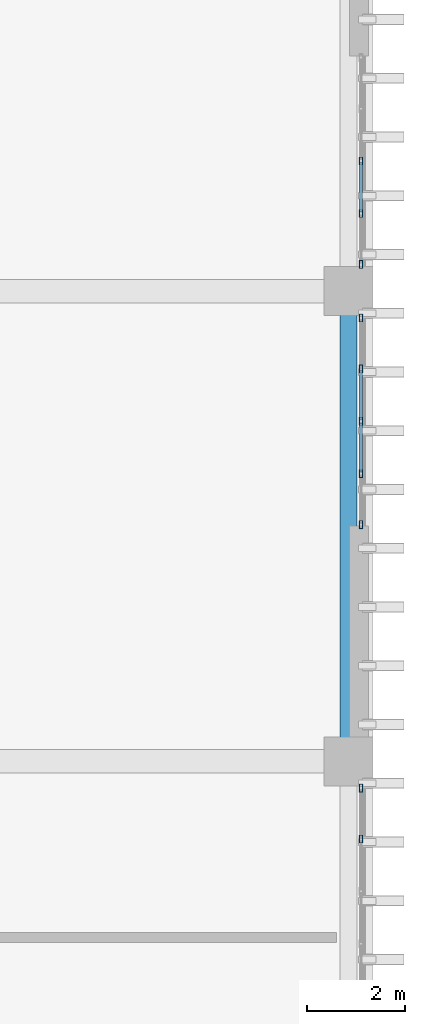
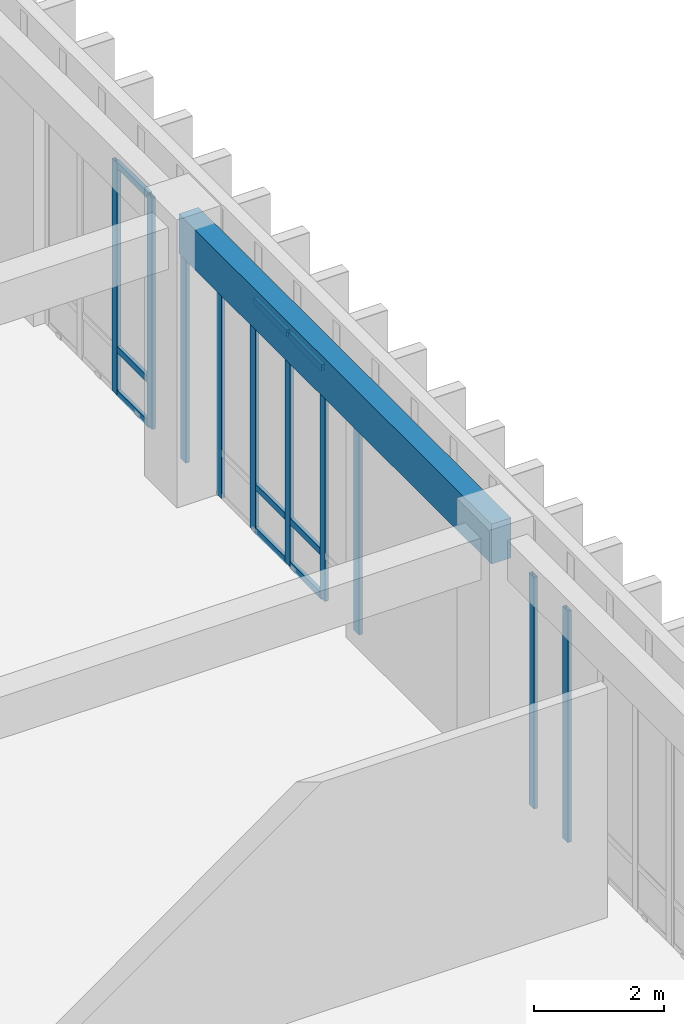
# One storey, part 83 of 134: 19 members, 1 beam, 3 elements without a shape of their own.
"""IFC4 building model written with IfcOpenShell, lengths in metres."""

from ifc_helpers import new_model, si_unit, direction, frame, origin, origin_2d, place, context, subcontext, project, spatial, rectangle, hollow_rectangle, extrude, material, layer, layer_set, material_profile, profile_set, type_object, element, aggregate, save


model = new_model("IFC4")

# Units and contexts
model_context = context("Model", 3, precision=1e-05, world=origin(), true_north=direction((0.0, 1.0)))
body_context = subcontext(model_context, "Body", "Model", "MODEL_VIEW")
ifc_project = project(units=[si_unit("LENGTHUNIT", "METRE"), si_unit("AREAUNIT", "SQUARE_METRE"), si_unit("VOLUMEUNIT", "CUBIC_METRE"), si_unit("PLANEANGLEUNIT", "RADIAN"), si_unit("MASSUNIT", "GRAM", prefix="KILO")], contexts=[model_context])

# Site, building, storey
site_placement = place(None, origin())
site = spatial("IfcSite", under=ifc_project, at=site_placement, CompositionType="ELEMENT")
building_placement = place(site_placement, origin())
building = spatial("IfcBuilding", under=site, at=building_placement, Name="Nakhvara Creek Congress Hotel", CompositionType="ELEMENT")
storey_placement = place(building_placement, frame((0.0, 0.0, 6.0)))
storey = spatial("IfcBuildingStorey", under=building, at=storey_placement, Name="L01", CompositionType="ELEMENT", Elevation=6.0)

# Beam
ifc_material_1 = material(Name="Concrete C40/50", Category="concrete")
ifc_material_profile_1 = material_profile(ifc_material_1, rectangle(XDim=0.35009765625, YDim=0.75, at=origin_2d()), Name="RC-SPANDREL 350x750", Category="LoadBearing")
ifc_profile_set_1 = profile_set([ifc_material_profile_1], Name="Concrete C40/50")
beam_type = type_object("IfcBeamType", Name="BM-SPN-350X750", PredefinedType="SPANDREL", material=ifc_profile_set_1)
beam_placement = place(storey_placement, frame((179.35009765625, 96.0, 4.72509765625), z_axis=(0.0, 1.0, 0.0), x_axis=(-1.0, 0.0, 0.0)))
element("IfcBeam", 1, at=beam_placement, inside=storey, type_object=beam_type, Name="Beam SP1-L01-1359", PredefinedType="SPANDREL", context=body_context, shape_type="SweptSolid", body=[
    extrude(rectangle(XDim=0.35009765625, YDim=0.75, at=origin_2d()), origin(), (0.0, 0.0, 1.0), 9.60009765625),
])

# Curtain wall, members
ifc_material_2 = material(Name="Bronze-anodised aluminium AW-6063-T6 and double-silver low-E glass", Category="aluminium")
ifc_layer = layer(ifc_material_2, 0.199951171875)
ifc_layer_set = layer_set([ifc_layer], Name="Bronze-anodised aluminium AW-6063-T6 and double-silver low-E glass")
curtain_wall_type = type_object("IfcCurtainWallType", Name="CW-HTL-UNIT", PredefinedType="USERDEFINED", material=ifc_layer_set)
curtain_wall_1_placement = place(storey_placement, origin())
curtain_wall_1 = element("IfcCurtainWall", 2, at=curtain_wall_1_placement, inside=storey, type_object=curtain_wall_type, Name="Curtain Wall CW119", ObjectType="UNITISED", PredefinedType="USERDEFINED")
ifc_material_3 = material(Name="Bronze-anodised aluminium AW-6063-T6", Category="aluminium")
ifc_material_profile_2 = material_profile(ifc_material_3, hollow_rectangle(XDim=0.06494140625, YDim=0.159912109375, WallThickness=0.00390625, at=origin_2d()), Name="ALU-MULL 65x160x4", Category="LoadBearing")
ifc_profile_set_2 = profile_set([ifc_material_profile_2], Name="Bronze-anodised aluminium AW-6063-T6")
member_type_1 = type_object("IfcMemberType", Name="CW-MULL-160", PredefinedType="MULLION", material=ifc_profile_set_2)
member_1_placement = place(storey_placement, frame((179.60009765625, 95.452392578125, 0.0), z_axis=(0.0, 0.0, 1.0), x_axis=(1.0, 0.0, 0.0)))
member_1 = element("IfcMember", 3, at=member_1_placement, type_object=member_type_1, Name="CW119 mullion 1", PredefinedType="MULLION", context=body_context, shape_type="SweptSolid", body=[
    extrude(hollow_rectangle(XDim=0.06494140625, YDim=0.159912109375, WallThickness=0.00390625, at=origin_2d()), origin(), (0.0, 0.0, 1.0), 4.342041015625),
])
member_2_placement = place(storey_placement, frame((179.60009765625, 94.413818359375, 0.0), z_axis=(0.0, 0.0, 1.0), x_axis=(1.0, 0.0, 0.0)))
member_2 = element("IfcMember", 4, at=member_2_placement, type_object=member_type_1, Name="CW119 mullion 2", PredefinedType="MULLION", context=body_context, shape_type="SweptSolid", body=[
    extrude(hollow_rectangle(XDim=0.06494140625, YDim=0.159912109375, WallThickness=0.00390625, at=origin_2d()), origin(), (0.0, 0.0, 1.0), 4.342041015625),
])
aggregate(curtain_wall_1, [member_1, member_2])

curtain_wall_2_placement = place(storey_placement, origin())
curtain_wall_2 = element("IfcCurtainWall", 5, at=curtain_wall_2_placement, inside=storey, type_object=curtain_wall_type, Name="Curtain Wall CW121", ObjectType="UNITISED", PredefinedType="USERDEFINED")
member_3_placement = place(storey_placement, frame((179.60009765625, 105.052490234375, 0.0), z_axis=(0.0, 0.0, 1.0), x_axis=(1.0, 0.0, 0.0)))
member_3 = element("IfcMember", 6, at=member_3_placement, type_object=member_type_1, Name="CW121 mullion 1", PredefinedType="MULLION", context=body_context, shape_type="SweptSolid", body=[
    extrude(hollow_rectangle(XDim=0.06494140625, YDim=0.159912109375, WallThickness=0.00390625, at=origin_2d()), origin(), (0.0, 0.0, 1.0), 4.342041015625),
])
member_4_placement = place(storey_placement, frame((179.60009765625, 104.013671875, 0.0), z_axis=(0.0, 0.0, 1.0), x_axis=(1.0, 0.0, 0.0)))
member_4 = element("IfcMember", 7, at=member_4_placement, type_object=member_type_1, Name="CW121 mullion 2", PredefinedType="MULLION", context=body_context, shape_type="SweptSolid", body=[
    extrude(hollow_rectangle(XDim=0.06494140625, YDim=0.159912109375, WallThickness=0.00390625, at=origin_2d()), origin(), (0.0, 0.0, 1.0), 4.342041015625),
])
member_5_placement = place(storey_placement, frame((179.60009765625, 102.9423828125, 0.0), z_axis=(0.0, 0.0, 1.0), x_axis=(1.0, 0.0, 0.0)))
member_5 = element("IfcMember", 8, at=member_5_placement, type_object=member_type_1, Name="CW121 mullion 3", PredefinedType="MULLION", context=body_context, shape_type="SweptSolid", body=[
    extrude(hollow_rectangle(XDim=0.06494140625, YDim=0.159912109375, WallThickness=0.00390625, at=origin_2d()), origin(), (0.0, 0.0, 1.0), 4.342041015625),
])
member_6_placement = place(storey_placement, frame((179.60009765625, 101.871337890625, 0.0), z_axis=(0.0, 0.0, 1.0), x_axis=(1.0, 0.0, 0.0)))
member_6 = element("IfcMember", 9, at=member_6_placement, type_object=member_type_1, Name="CW121 mullion 4", PredefinedType="MULLION", context=body_context, shape_type="SweptSolid", body=[
    extrude(hollow_rectangle(XDim=0.06494140625, YDim=0.159912109375, WallThickness=0.00390625, at=origin_2d()), origin(), (0.0, 0.0, 1.0), 4.342041015625),
])
member_7_placement = place(storey_placement, frame((179.60009765625, 100.83251953125, 0.0), z_axis=(0.0, 0.0, 1.0), x_axis=(1.0, 0.0, 0.0)))
member_7 = element("IfcMember", 10, at=member_7_placement, type_object=member_type_1, Name="CW121 mullion 5", PredefinedType="MULLION", context=body_context, shape_type="SweptSolid", body=[
    extrude(hollow_rectangle(XDim=0.06494140625, YDim=0.159912109375, WallThickness=0.00390625, at=origin_2d()), origin(), (0.0, 0.0, 1.0), 4.342041015625),
])

curtain_wall_3_placement = place(storey_placement, origin())
curtain_wall_3 = element("IfcCurtainWall", 11, at=curtain_wall_3_placement, inside=storey, type_object=curtain_wall_type, Name="Curtain Wall CW123", ObjectType="UNITISED", PredefinedType="USERDEFINED")
member_8_placement = place(storey_placement, frame((179.60009765625, 108.257568359375, 0.0), z_axis=(0.0, 0.0, 1.0), x_axis=(1.0, 0.0, 0.0)))
member_8 = element("IfcMember", 12, at=member_8_placement, type_object=member_type_1, Name="CW123 mullion 3", PredefinedType="MULLION", context=body_context, shape_type="SweptSolid", body=[
    extrude(hollow_rectangle(XDim=0.06494140625, YDim=0.159912109375, WallThickness=0.00390625, at=origin_2d()), origin(), (0.0, 0.0, 1.0), 4.342041015625),
])
member_9_placement = place(storey_placement, frame((179.60009765625, 107.186279296875, 0.0), z_axis=(0.0, 0.0, 1.0), x_axis=(1.0, 0.0, 0.0)))
member_9 = element("IfcMember", 13, at=member_9_placement, type_object=member_type_1, Name="CW123 mullion 4", PredefinedType="MULLION", context=body_context, shape_type="SweptSolid", body=[
    extrude(hollow_rectangle(XDim=0.06494140625, YDim=0.159912109375, WallThickness=0.00390625, at=origin_2d()), origin(), (0.0, 0.0, 1.0), 4.342041015625),
])
member_10_placement = place(storey_placement, frame((179.60009765625, 106.1474609375, 0.0), z_axis=(0.0, 0.0, 1.0), x_axis=(1.0, 0.0, 0.0)))
member_10 = element("IfcMember", 14, at=member_10_placement, type_object=member_type_1, Name="CW123 mullion 5", PredefinedType="MULLION", context=body_context, shape_type="SweptSolid", body=[
    extrude(hollow_rectangle(XDim=0.06494140625, YDim=0.159912109375, WallThickness=0.00390625, at=origin_2d()), origin(), (0.0, 0.0, 1.0), 4.342041015625),
])

# Member
ifc_material_profile_3 = material_profile(ifc_material_3, hollow_rectangle(XDim=0.06494140625, YDim=0.1201171875, WallThickness=0.00390625, at=origin_2d()), Name="ALU-TRAN 65x120x4", Category="LoadBearing")
ifc_profile_set_3 = profile_set([ifc_material_profile_3], Name="Bronze-anodised aluminium AW-6063-T6")
member_type_2 = type_object("IfcMemberType", Name="CW-TRAN-120", PredefinedType="USERDEFINED", material=ifc_profile_set_3)
member_11_placement = place(storey_placement, frame((179.60009765625, 103.981201171875, 0.032470703125), z_axis=(0.0, -1.0, 0.0), x_axis=(1.0, 0.0, 0.0)))
member_11 = element("IfcMember", 15, at=member_11_placement, type_object=member_type_2, Name="CW121 transom 2.1", ObjectType="TRANSOM", PredefinedType="USERDEFINED", context=body_context, shape_type="SweptSolid", body=[
    extrude(hollow_rectangle(XDim=0.06494140625, YDim=0.1201171875, WallThickness=0.00390625, at=origin_2d()), origin(), (0.0, 0.0, 1.0), 1.006103515625),
])

member_12_placement = place(storey_placement, frame((179.60009765625, 103.981201171875, 0.85009765625), z_axis=(0.0, -1.0, 0.0), x_axis=(1.0, 0.0, 0.0)))
member_12 = element("IfcMember", 16, at=member_12_placement, type_object=member_type_2, Name="CW121 transom 2.2", ObjectType="TRANSOM", PredefinedType="USERDEFINED", context=body_context, shape_type="SweptSolid", body=[
    extrude(hollow_rectangle(XDim=0.06494140625, YDim=0.1201171875, WallThickness=0.00390625, at=origin_2d()), origin(), (0.0, 0.0, 1.0), 1.006103515625),
])

member_13_placement = place(storey_placement, frame((179.60009765625, 103.981201171875, 4.3095703125), z_axis=(0.0, -1.0, 0.0), x_axis=(1.0, 0.0, 0.0)))
member_13 = element("IfcMember", 17, at=member_13_placement, type_object=member_type_2, Name="CW121 transom 2.3", ObjectType="TRANSOM", PredefinedType="USERDEFINED", context=body_context, shape_type="SweptSolid", body=[
    extrude(hollow_rectangle(XDim=0.06494140625, YDim=0.1201171875, WallThickness=0.00390625, at=origin_2d()), origin(), (0.0, 0.0, 1.0), 1.006103515625),
])

member_14_placement = place(storey_placement, frame((179.60009765625, 102.909912109375, 0.032470703125), z_axis=(0.0, -1.0, 0.0), x_axis=(1.0, 0.0, 0.0)))
member_14 = element("IfcMember", 18, at=member_14_placement, type_object=member_type_2, Name="CW121 transom 3.1", ObjectType="TRANSOM", PredefinedType="USERDEFINED", context=body_context, shape_type="SweptSolid", body=[
    extrude(hollow_rectangle(XDim=0.06494140625, YDim=0.1201171875, WallThickness=0.00390625, at=origin_2d()), origin(), (0.0, 0.0, 1.0), 1.006103515625),
])

member_15_placement = place(storey_placement, frame((179.60009765625, 102.909912109375, 0.85009765625), z_axis=(0.0, -1.0, 0.0), x_axis=(1.0, 0.0, 0.0)))
member_15 = element("IfcMember", 19, at=member_15_placement, type_object=member_type_2, Name="CW121 transom 3.2", ObjectType="TRANSOM", PredefinedType="USERDEFINED", context=body_context, shape_type="SweptSolid", body=[
    extrude(hollow_rectangle(XDim=0.06494140625, YDim=0.1201171875, WallThickness=0.00390625, at=origin_2d()), origin(), (0.0, 0.0, 1.0), 1.006103515625),
])

member_16_placement = place(storey_placement, frame((179.60009765625, 102.909912109375, 4.3095703125), z_axis=(0.0, -1.0, 0.0), x_axis=(1.0, 0.0, 0.0)))
member_16 = element("IfcMember", 20, at=member_16_placement, type_object=member_type_2, Name="CW121 transom 3.3", ObjectType="TRANSOM", PredefinedType="USERDEFINED", context=body_context, shape_type="SweptSolid", body=[
    extrude(hollow_rectangle(XDim=0.06494140625, YDim=0.1201171875, WallThickness=0.00390625, at=origin_2d()), origin(), (0.0, 0.0, 1.0), 1.006103515625),
])

aggregate(curtain_wall_2, [member_3, member_4, member_5, member_6, member_7, member_11, member_12, member_13, member_14, member_15, member_16])

member_17_placement = place(storey_placement, frame((179.60009765625, 108.22509765625, 0.032470703125), z_axis=(0.0, -1.0, 0.0), x_axis=(1.0, 0.0, 0.0)))
member_17 = element("IfcMember", 21, at=member_17_placement, type_object=member_type_2, Name="CW123 transom 3.1", ObjectType="TRANSOM", PredefinedType="USERDEFINED", context=body_context, shape_type="SweptSolid", body=[
    extrude(hollow_rectangle(XDim=0.06494140625, YDim=0.1201171875, WallThickness=0.00390625, at=origin_2d()), origin(), (0.0, 0.0, 1.0), 1.00634765625),
])

member_18_placement = place(storey_placement, frame((179.60009765625, 108.22509765625, 0.85009765625), z_axis=(0.0, -1.0, 0.0), x_axis=(1.0, 0.0, 0.0)))
member_18 = element("IfcMember", 22, at=member_18_placement, type_object=member_type_2, Name="CW123 transom 3.2", ObjectType="TRANSOM", PredefinedType="USERDEFINED", context=body_context, shape_type="SweptSolid", body=[
    extrude(hollow_rectangle(XDim=0.06494140625, YDim=0.1201171875, WallThickness=0.00390625, at=origin_2d()), origin(), (0.0, 0.0, 1.0), 1.00634765625),
])

member_19_placement = place(storey_placement, frame((179.60009765625, 108.22509765625, 4.3095703125), z_axis=(0.0, -1.0, 0.0), x_axis=(1.0, 0.0, 0.0)))
member_19 = element("IfcMember", 23, at=member_19_placement, type_object=member_type_2, Name="CW123 transom 3.3", ObjectType="TRANSOM", PredefinedType="USERDEFINED", context=body_context, shape_type="SweptSolid", body=[
    extrude(hollow_rectangle(XDim=0.06494140625, YDim=0.1201171875, WallThickness=0.00390625, at=origin_2d()), origin(), (0.0, 0.0, 1.0), 1.00634765625),
])

aggregate(curtain_wall_3, [member_8, member_9, member_10, member_17, member_18, member_19])

save(model, "model.ifc")
